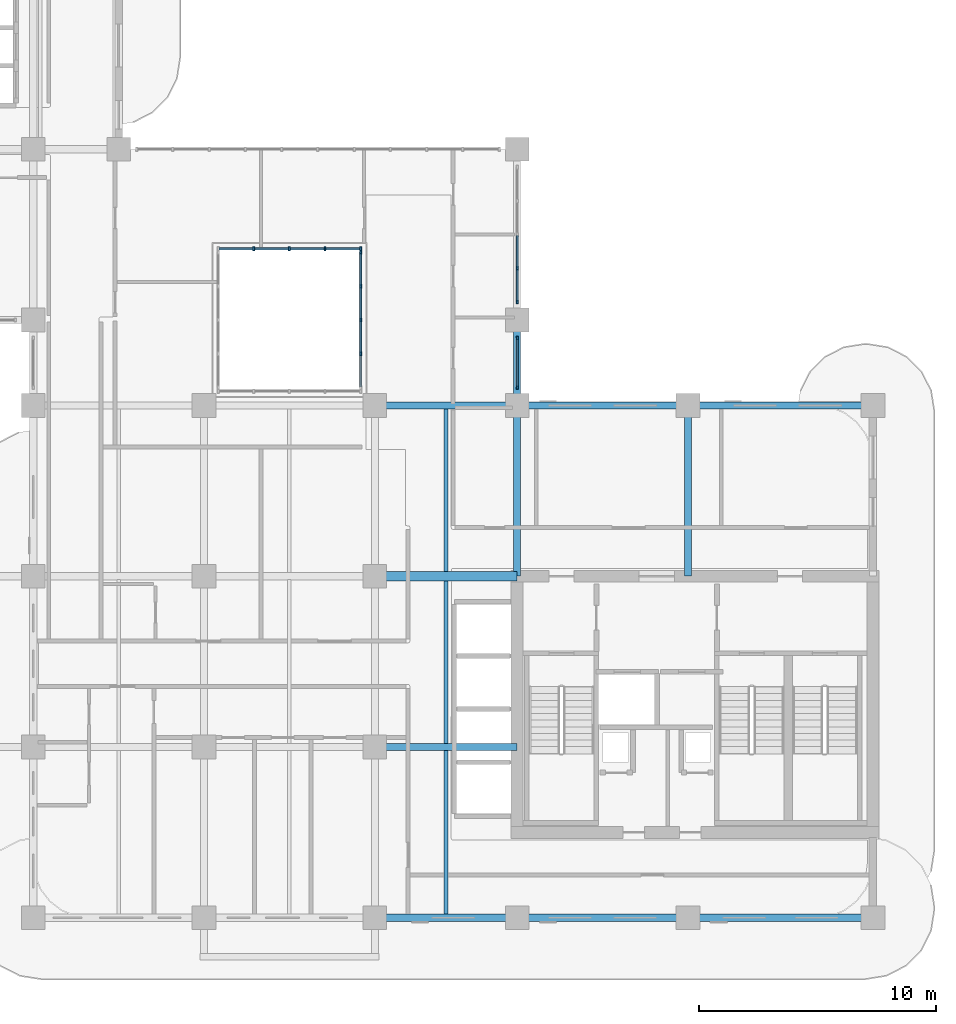
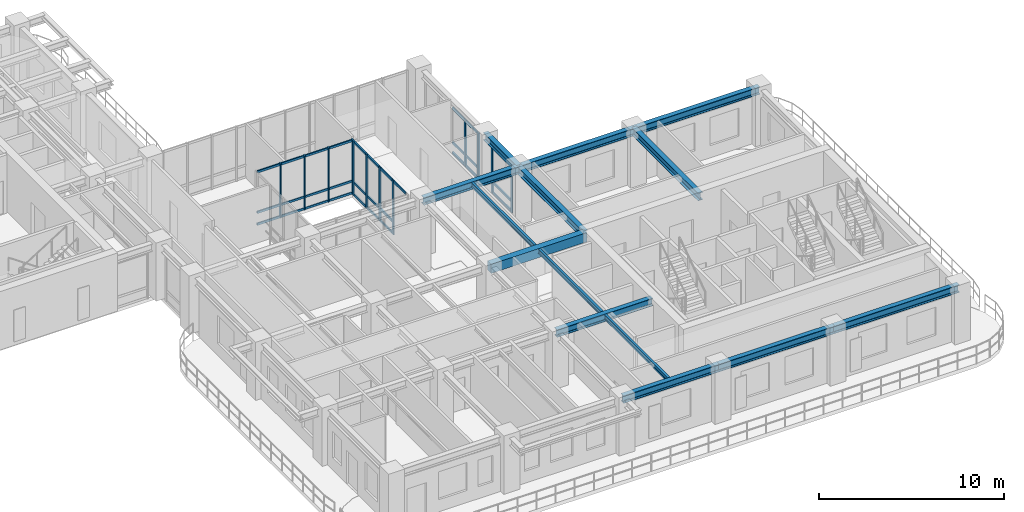
# One storey, part 3 of 20: 43 members, 14 beams, 4 elements without a shape of their own.
"""IFC4 building model written with IfcOpenShell, lengths in metres."""

from ifc_helpers import new_model, si_unit, derived_unit, direction, frame, origin, origin_2d, place, context, subcontext, project, spatial, rectangle, i_section, extrude, source, transform, mapped, material, layer, layer_set, material_profile, profile_set, type_object, type_shapes, element, aggregate, save


model = new_model("IFC4")

# Units and contexts
model_context = context("Model", 3, precision=1e-05, world=origin(), true_north=direction((0.0, 1.0)))
body_context = subcontext(model_context, "Body", "Model", "MODEL_VIEW")
ifc_project = project(units=[si_unit("LENGTHUNIT", "METRE"), si_unit("AREAUNIT", "SQUARE_METRE"), si_unit("VOLUMEUNIT", "CUBIC_METRE"), si_unit("PLANEANGLEUNIT", "RADIAN"), si_unit("MASSUNIT", "GRAM", prefix="KILO"), si_unit("THERMODYNAMICTEMPERATUREUNIT", "KELVIN"), si_unit("POWERUNIT", "WATT"), derived_unit("THERMALTRANSMITTANCEUNIT", [(si_unit("POWERUNIT", "WATT"), 1), (si_unit("AREAUNIT", "SQUARE_METRE"), -1), (si_unit("THERMODYNAMICTEMPERATUREUNIT", "KELVIN"), -1)])], contexts=[model_context])

# Site, building, storey
site_placement = place(None, origin())
site = spatial("IfcSite", under=ifc_project, at=site_placement, CompositionType="ELEMENT")
building_placement = place(site_placement, origin())
building = spatial("IfcBuilding", under=site, at=building_placement, Name="Zahravan Archway Hotel and Residences", CompositionType="ELEMENT")
storey_placement = place(building_placement, frame((0.0, 0.0, 177.25)))
storey = spatial("IfcBuildingStorey", under=building, at=storey_placement, Name="L44", CompositionType="ELEMENT", Elevation=177.25)

# Beams
ifc_material_1 = material(Name="Concrete C60/75", Category="concrete")
ifc_material_profile_1 = material_profile(ifc_material_1, rectangle(XDim=0.39990234375, YDim=0.60009765625, at=origin_2d()), Name="RC-LNT-400x600", Category="concrete")
ifc_profile_set_1 = profile_set([ifc_material_profile_1], Name="Concrete C60/75")
beam_type_1 = type_object("IfcBeamType", Name="LNT-RC-400x600", PredefinedType="LINTEL", material=ifc_profile_set_1)
shared_shape_1 = source(origin(), body_context, "Body", "SweptSolid", [
    extrude(rectangle(XDim=0.39990234375, YDim=0.60009765625, at=origin_2d()), origin(), (0.0, 0.0, 1.0), 6.0),
])
type_shapes(beam_type_1, [shared_shape_1])
beam_1_placement = place(storey_placement, frame((28.800048828125, 14.39990234375, 3.300048828125), z_axis=(1.0, 0.0, 0.0), x_axis=(0.0, 1.0, 0.0)))
element("IfcBeam", 1, at=beam_1_placement, inside=storey, type_object=beam_type_1, Name="L44 Core A Coupling Lintel Beam", PredefinedType="LINTEL", context=body_context, shape_type="MappedRepresentation", body=[
    mapped(shared_shape_1, transform((0.0, 0.0, 0.0), scale=1.0)),
])
ifc_material_2 = material(Name="Structural Steel S355JR", Category="steel")
ifc_material_profile_2 = material_profile(ifc_material_2, i_section(OverallWidth=0.300048828125, OverallDepth=0.5, WebThickness=0.014404296875, FlangeThickness=0.028076171875, FilletRadius=0.027099609375, at=origin_2d()), Name="HEB 500", Category="steel")
ifc_profile_set_2 = profile_set([ifc_material_profile_2], Name="Structural Steel S355JR")
beam_type_2 = type_object("IfcBeamType", Name="BM-PRI-HEB500", PredefinedType="BEAM", material=ifc_profile_set_2)
shared_shape_2 = source(origin(), body_context, "Body", "SweptSolid", [
    extrude(i_section(OverallWidth=0.300048828125, OverallDepth=0.5, WebThickness=0.014404296875, FlangeThickness=0.028076171875, FilletRadius=0.027099609375, at=origin_2d()), origin(), (0.0, 0.0, 1.0), 7.2001953125),
])
type_shapes(beam_type_2, [shared_shape_2])
for number, where, z_axis, x_axis, name in (
    (2, (34.800048828125, 14.39990234375, 3.35009765625), (0.0, 1.0, 0.0), (-1.0, 0.0, 0.0), "L44 Primary Girder NS-40"),
    (3, (42.0, 14.39990234375, 3.35009765625), (0.0, 1.0, 0.0), (-1.0, 0.0, 0.0), "L44 Primary Girder NS-43"),
):
    element("IfcBeam", number, at=place(storey_placement, frame(where, z_axis=z_axis, x_axis=x_axis)), inside=storey, type_object=beam_type_2, Name=name, PredefinedType="BEAM", context=body_context, shape_type="MappedRepresentation", body=[
        mapped(shared_shape_2, transform((0.0, 0.0, 0.0), scale=1.0)),
    ])
shared_shape_3 = source(origin(), body_context, "Body", "SweptSolid", [
    extrude(i_section(OverallWidth=0.300048828125, OverallDepth=0.5, WebThickness=0.014404296875, FlangeThickness=0.028076171875, FilletRadius=0.027099609375, at=origin_2d()), origin(), (0.0, 0.0, 1.0), 7.199951171875),
])
for number, where, z_axis, x_axis, name in (
    (4, (34.800048828125, 0.0, 3.35009765625), (1.0, 0.0, 0.0), (0.0, 1.0, 0.0), "L44 Primary Girder EW-04"),
    (5, (34.800048828125, 21.60009765625, 3.35009765625), (1.0, 0.0, 0.0), (0.0, 1.0, 0.0), "L44 Primary Girder EW-14"),
):
    element("IfcBeam", number, at=place(storey_placement, frame(where, z_axis=z_axis, x_axis=x_axis)), inside=storey, type_object=beam_type_2, Name=name, PredefinedType="BEAM", context=body_context, shape_type="MappedRepresentation", body=[
        mapped(shared_shape_3, transform((0.0, 0.0, 0.0), scale=1.0)),
    ])
shared_shape_4 = source(origin(), body_context, "Body", "SweptSolid", [
    extrude(i_section(OverallWidth=0.300048828125, OverallDepth=0.5, WebThickness=0.014404296875, FlangeThickness=0.028076171875, FilletRadius=0.027099609375, at=origin_2d()), origin(), (0.0, 0.0, 1.0), 6.0),
])
for number, where, z_axis, x_axis, name in (
    (6, (28.800048828125, 0.0, 3.35009765625), (1.0, 0.0, 0.0), (0.0, 1.0, 0.0), "L44 Primary Girder EW-03"),
    (7, (28.800048828125, 7.199951171875, 3.35009765625), (1.0, 0.0, 0.0), (0.0, 1.0, 0.0), "L44 Primary Girder EW-08"),
    (8, (28.800048828125, 21.60009765625, 3.35009765625), (1.0, 0.0, 0.0), (0.0, 1.0, 0.0), "L44 Primary Girder EW-13"),
):
    element("IfcBeam", number, at=place(storey_placement, frame(where, z_axis=z_axis, x_axis=x_axis)), inside=storey, type_object=beam_type_2, Name=name, PredefinedType="BEAM", context=body_context, shape_type="MappedRepresentation", body=[
        mapped(shared_shape_4, transform((0.0, 0.0, 0.0), scale=1.0)),
    ])
shared_shape_5 = source(origin(), body_context, "Body", "SweptSolid", [
    extrude(i_section(OverallWidth=0.300048828125, OverallDepth=0.5, WebThickness=0.014404296875, FlangeThickness=0.028076171875, FilletRadius=0.027099609375, at=origin_2d()), origin(), (0.0, 0.0, 1.0), 7.800048828125),
])
for number, where, z_axis, x_axis, name in (
    (9, (42.0, 0.0, 3.35009765625), (1.0, 0.0, 0.0), (0.0, 1.0, 0.0), "L44 Primary Girder EW-05"),
    (10, (42.0, 21.60009765625, 3.35009765625), (1.0, 0.0, 0.0), (0.0, 1.0, 0.0), "L44 Primary Girder EW-15"),
):
    element("IfcBeam", number, at=place(storey_placement, frame(where, z_axis=z_axis, x_axis=x_axis)), inside=storey, type_object=beam_type_2, Name=name, PredefinedType="BEAM", context=body_context, shape_type="MappedRepresentation", body=[
        mapped(shared_shape_5, transform((0.0, 0.0, 0.0), scale=1.0)),
    ])
shared_shape_6 = source(origin(), body_context, "Body", "SweptSolid", [
    extrude(i_section(OverallWidth=0.300048828125, OverallDepth=0.5, WebThickness=0.014404296875, FlangeThickness=0.028076171875, FilletRadius=0.027099609375, at=origin_2d()), origin(), (0.0, 0.0, 1.0), 3.599853515625),
])
beam_2_placement = place(storey_placement, frame((34.800048828125, 21.60009765625, 3.35009765625), z_axis=(0.0, 1.0, 0.0), x_axis=(-1.0, 0.0, 0.0)))
element("IfcBeam", 11, at=beam_2_placement, inside=storey, type_object=beam_type_2, Name="L44 Primary Girder NS-41", PredefinedType="BEAM", context=body_context, shape_type="MappedRepresentation", body=[
    mapped(shared_shape_6, transform((0.0, 0.0, 0.0), scale=1.0)),
])
ifc_material_profile_3 = material_profile(ifc_material_2, i_section(OverallWidth=0.14990234375, OverallDepth=0.300048828125, WebThickness=0.007080078125, FlangeThickness=0.0107421875, FilletRadius=0.014892578125, at=origin_2d()), Name="IPE 300", Category="steel")
ifc_profile_set_3 = profile_set([ifc_material_profile_3], Name="Structural Steel S355JR")
beam_type_3 = type_object("IfcBeamType", Name="BM-JST-IPE300", PredefinedType="JOIST", material=ifc_profile_set_3)
shared_shape_7 = source(origin(), body_context, "Body", "SweptSolid", [
    extrude(i_section(OverallWidth=0.14990234375, OverallDepth=0.300048828125, WebThickness=0.007080078125, FlangeThickness=0.0107421875, FilletRadius=0.014892578125, at=origin_2d()), origin(), (0.0, 0.0, 1.0), 6.904052734375),
])
type_shapes(beam_type_3, [shared_shape_7])
beam_3_placement = place(storey_placement, frame((31.800048828125, 0.14794921875, 3.449951171875), z_axis=(0.0, 1.0, 0.0), x_axis=(-1.0, 0.0, 0.0)))
element("IfcBeam", 12, at=beam_3_placement, inside=storey, type_object=beam_type_3, Name="L44 Composite Floor Joist 03", PredefinedType="JOIST", context=body_context, shape_type="MappedRepresentation", body=[
    mapped(shared_shape_7, transform((0.0, 0.0, 0.0), scale=1.0)),
])
shared_shape_8 = source(origin(), body_context, "Body", "SweptSolid", [
    extrude(i_section(OverallWidth=0.14990234375, OverallDepth=0.300048828125, WebThickness=0.007080078125, FlangeThickness=0.0107421875, FilletRadius=0.014892578125, at=origin_2d()), origin(), (0.0, 0.0, 1.0), 6.85400390625),
])
for number, where, z_axis, x_axis, name in (
    (13, (31.800048828125, 7.347900390625, 3.449951171875), (0.0, 1.0, 0.0), (-1.0, 0.0, 0.0), "L44 Composite Floor Joist 06"),
    (14, (31.800048828125, 14.597900390625, 3.449951171875), (0.0, 1.0, 0.0), (-1.0, 0.0, 0.0), "L44 Composite Floor Joist 07"),
):
    element("IfcBeam", number, at=place(storey_placement, frame(where, z_axis=z_axis, x_axis=x_axis)), inside=storey, type_object=beam_type_3, Name=name, PredefinedType="JOIST", context=body_context, shape_type="MappedRepresentation", body=[
        mapped(shared_shape_8, transform((0.0, 0.0, 0.0), scale=1.0)),
    ])

# Curtain wall, members
ifc_material_3 = material(Name="Bronze-Anodized Unitised Aluminium & Low-E Glass", Category="aluminium")
ifc_layer = layer(ifc_material_3, 0.179931640625, Name="Bronze-Anodized Unitised Aluminium & Low-E Glass", Category="aluminium")
ifc_layer_set = layer_set([ifc_layer], Name="Bronze-Anodized Unitised Aluminium & Low-E Glass")
curtain_wall_type = type_object("IfcCurtainWallType", Name="CW-ATR-GLAZ", PredefinedType="NOTDEFINED", material=ifc_layer_set)
curtain_wall_1_placement = place(storey_placement, origin())
curtain_wall_1 = element("IfcCurtainWall", 15, at=curtain_wall_1_placement, inside=storey, type_object=curtain_wall_type, Name="L44 Curtain Wall CW-L44-HNG-E-2", PredefinedType="NOTDEFINED")
ifc_material_4 = material(Name="Bronze-Anodized Extruded Aluminium", Category="aluminium")
ifc_material_profile_4 = material_profile(ifc_material_4, rectangle(XDim=0.080078125, YDim=0.139892578125, at=origin_2d()), Name="TRN 80x140", Category="aluminium")
ifc_profile_set_4 = profile_set([ifc_material_profile_4], Name="Bronze-Anodized Extruded Aluminium")
member_type_1 = type_object("IfcMemberType", Name="CWM-TRN-140", PredefinedType="USERDEFINED", material=ifc_profile_set_4)
shared_shape_9 = source(origin(), body_context, "Body", "SweptSolid", [
    extrude(rectangle(XDim=0.080078125, YDim=0.139892578125, at=origin_2d()), origin(), (0.0, 0.0, 1.0), 1.340087890625),
])
member_1_placement = place(storey_placement, frame((34.800048828125, 26.0, 0.070068359375), z_axis=(0.0, 1.0, 0.0), x_axis=(-1.0, 0.0, 0.0)))
member_1 = element("IfcMember", 16, at=member_1_placement, type_object=member_type_1, Name="CW-L44-HNG-E-2 Transom 0-1", ObjectType="TRANSOM", PredefinedType="USERDEFINED", context=body_context, shape_type="MappedRepresentation", body=[
    mapped(shared_shape_9, transform((0.0, 0.0, 0.0), scale=1.0)),
])
member_2_placement = place(storey_placement, frame((34.800048828125, 26.0, 0.740478515625), z_axis=(0.0, 1.0, 0.0), x_axis=(-1.0, 0.0, 0.0)))
member_2 = element("IfcMember", 17, at=member_2_placement, type_object=member_type_1, Name="CW-L44-HNG-E-2 Transom 0-2", ObjectType="TRANSOM", PredefinedType="USERDEFINED", context=body_context, shape_type="MappedRepresentation", body=[
    mapped(shared_shape_9, transform((0.0, 0.0, 0.0), scale=1.0)),
])
member_3_placement = place(storey_placement, frame((34.800048828125, 26.0, 3.014892578125), z_axis=(0.0, 1.0, 0.0), x_axis=(-1.0, 0.0, 0.0)))
member_3 = element("IfcMember", 18, at=member_3_placement, type_object=member_type_1, Name="CW-L44-HNG-E-2 Transom 0-3", ObjectType="TRANSOM", PredefinedType="USERDEFINED", context=body_context, shape_type="MappedRepresentation", body=[
    mapped(shared_shape_9, transform((0.0, 0.0, 0.0), scale=1.0)),
])
member_4_placement = place(storey_placement, frame((34.800048828125, 27.419921875, 0.070068359375), z_axis=(0.0, 1.0, 0.0), x_axis=(-1.0, 0.0, 0.0)))
member_4 = element("IfcMember", 19, at=member_4_placement, type_object=member_type_1, Name="CW-L44-HNG-E-2 Transom 1-1", ObjectType="TRANSOM", PredefinedType="USERDEFINED", context=body_context, shape_type="MappedRepresentation", body=[
    mapped(shared_shape_9, transform((0.0, 0.0, 0.0), scale=1.0)),
])
member_5_placement = place(storey_placement, frame((34.800048828125, 27.419921875, 0.740478515625), z_axis=(0.0, 1.0, 0.0), x_axis=(-1.0, 0.0, 0.0)))
member_5 = element("IfcMember", 20, at=member_5_placement, type_object=member_type_1, Name="CW-L44-HNG-E-2 Transom 1-2", ObjectType="TRANSOM", PredefinedType="USERDEFINED", context=body_context, shape_type="MappedRepresentation", body=[
    mapped(shared_shape_9, transform((0.0, 0.0, 0.0), scale=1.0)),
])
member_6_placement = place(storey_placement, frame((34.800048828125, 27.419921875, 3.014892578125), z_axis=(0.0, 1.0, 0.0), x_axis=(-1.0, 0.0, 0.0)))
member_6 = element("IfcMember", 21, at=member_6_placement, type_object=member_type_1, Name="CW-L44-HNG-E-2 Transom 1-3", ObjectType="TRANSOM", PredefinedType="USERDEFINED", context=body_context, shape_type="MappedRepresentation", body=[
    mapped(shared_shape_9, transform((0.0, 0.0, 0.0), scale=1.0)),
])

curtain_wall_2_placement = place(storey_placement, origin())
curtain_wall_2 = element("IfcCurtainWall", 22, at=curtain_wall_2_placement, inside=storey, type_object=curtain_wall_type, Name="L44 Curtain Wall CW-L44-HNG-E-1", PredefinedType="NOTDEFINED")
shared_shape_10 = source(origin(), body_context, "Body", "SweptSolid", [
    extrude(rectangle(XDim=0.080078125, YDim=0.139892578125, at=origin_2d()), origin(), (0.0, 0.0, 1.0), 2.0),
])
member_7_placement = place(storey_placement, frame((34.800048828125, 22.39990234375, 0.070068359375), z_axis=(0.0, 1.0, 0.0), x_axis=(-1.0, 0.0, 0.0)))
member_7 = element("IfcMember", 23, at=member_7_placement, type_object=member_type_1, Name="CW-L44-HNG-E-1 Transom 0-1", ObjectType="TRANSOM", PredefinedType="USERDEFINED", context=body_context, shape_type="MappedRepresentation", body=[
    mapped(shared_shape_10, transform((0.0, 0.0, 0.0), scale=1.0)),
])
member_8_placement = place(storey_placement, frame((34.800048828125, 22.39990234375, 0.740478515625), z_axis=(0.0, 1.0, 0.0), x_axis=(-1.0, 0.0, 0.0)))
member_8 = element("IfcMember", 24, at=member_8_placement, type_object=member_type_1, Name="CW-L44-HNG-E-1 Transom 0-2", ObjectType="TRANSOM", PredefinedType="USERDEFINED", context=body_context, shape_type="MappedRepresentation", body=[
    mapped(shared_shape_10, transform((0.0, 0.0, 0.0), scale=1.0)),
])
member_9_placement = place(storey_placement, frame((34.800048828125, 22.39990234375, 3.014892578125), z_axis=(0.0, 1.0, 0.0), x_axis=(-1.0, 0.0, 0.0)))
member_9 = element("IfcMember", 25, at=member_9_placement, type_object=member_type_1, Name="CW-L44-HNG-E-1 Transom 0-3", ObjectType="TRANSOM", PredefinedType="USERDEFINED", context=body_context, shape_type="MappedRepresentation", body=[
    mapped(shared_shape_10, transform((0.0, 0.0, 0.0), scale=1.0)),
])

curtain_wall_3_placement = place(storey_placement, origin())
curtain_wall_3 = element("IfcCurtainWall", 26, at=curtain_wall_3_placement, inside=storey, type_object=curtain_wall_type, Name="L44 Curtain Wall CW-ATR-L44-N-1", PredefinedType="NOTDEFINED")
shared_shape_11 = source(origin(), body_context, "Body", "SweptSolid", [
    extrude(rectangle(XDim=0.080078125, YDim=0.139892578125, at=origin_2d()), origin(), (0.0, 0.0, 1.0), 1.419921875),
])
member_10_placement = place(storey_placement, frame((22.239990234375, 28.199951171875, 0.070068359375), z_axis=(1.0, 0.0, 0.0), x_axis=(0.0, 1.0, 0.0)))
member_10 = element("IfcMember", 27, at=member_10_placement, type_object=member_type_1, Name="CW-ATR-L44-N-1 Transom 0-1", ObjectType="TRANSOM", PredefinedType="USERDEFINED", context=body_context, shape_type="MappedRepresentation", body=[
    mapped(shared_shape_11, transform((0.0, 0.0, 0.0), scale=1.0)),
])
member_11_placement = place(storey_placement, frame((22.239990234375, 28.199951171875, 0.85009765625), z_axis=(1.0, 0.0, 0.0), x_axis=(0.0, 1.0, 0.0)))
member_11 = element("IfcMember", 28, at=member_11_placement, type_object=member_type_1, Name="CW-ATR-L44-N-1 Transom 0-2", ObjectType="TRANSOM", PredefinedType="USERDEFINED", context=body_context, shape_type="MappedRepresentation", body=[
    mapped(shared_shape_11, transform((0.0, 0.0, 0.0), scale=1.0)),
])
member_12_placement = place(storey_placement, frame((22.239990234375, 28.199951171875, 3.530029296875), z_axis=(1.0, 0.0, 0.0), x_axis=(0.0, 1.0, 0.0)))
member_12 = element("IfcMember", 29, at=member_12_placement, type_object=member_type_1, Name="CW-ATR-L44-N-1 Transom 0-3", ObjectType="TRANSOM", PredefinedType="USERDEFINED", context=body_context, shape_type="MappedRepresentation", body=[
    mapped(shared_shape_11, transform((0.0, 0.0, 0.0), scale=1.0)),
])
member_13_placement = place(storey_placement, frame((23.739990234375, 28.199951171875, 0.070068359375), z_axis=(1.0, 0.0, 0.0), x_axis=(0.0, 1.0, 0.0)))
member_13 = element("IfcMember", 30, at=member_13_placement, type_object=member_type_1, Name="CW-ATR-L44-N-1 Transom 1-1", ObjectType="TRANSOM", PredefinedType="USERDEFINED", context=body_context, shape_type="MappedRepresentation", body=[
    mapped(shared_shape_11, transform((0.0, 0.0, 0.0), scale=1.0)),
])
member_14_placement = place(storey_placement, frame((23.739990234375, 28.199951171875, 0.85009765625), z_axis=(1.0, 0.0, 0.0), x_axis=(0.0, 1.0, 0.0)))
member_14 = element("IfcMember", 31, at=member_14_placement, type_object=member_type_1, Name="CW-ATR-L44-N-1 Transom 1-2", ObjectType="TRANSOM", PredefinedType="USERDEFINED", context=body_context, shape_type="MappedRepresentation", body=[
    mapped(shared_shape_11, transform((0.0, 0.0, 0.0), scale=1.0)),
])
member_15_placement = place(storey_placement, frame((23.739990234375, 28.199951171875, 3.530029296875), z_axis=(1.0, 0.0, 0.0), x_axis=(0.0, 1.0, 0.0)))
member_15 = element("IfcMember", 32, at=member_15_placement, type_object=member_type_1, Name="CW-ATR-L44-N-1 Transom 1-3", ObjectType="TRANSOM", PredefinedType="USERDEFINED", context=body_context, shape_type="MappedRepresentation", body=[
    mapped(shared_shape_11, transform((0.0, 0.0, 0.0), scale=1.0)),
])
member_16_placement = place(storey_placement, frame((25.239990234375, 28.199951171875, 0.070068359375), z_axis=(1.0, 0.0, 0.0), x_axis=(0.0, 1.0, 0.0)))
member_16 = element("IfcMember", 33, at=member_16_placement, type_object=member_type_1, Name="CW-ATR-L44-N-1 Transom 2-1", ObjectType="TRANSOM", PredefinedType="USERDEFINED", context=body_context, shape_type="MappedRepresentation", body=[
    mapped(shared_shape_11, transform((0.0, 0.0, 0.0), scale=1.0)),
])
member_17_placement = place(storey_placement, frame((25.239990234375, 28.199951171875, 0.85009765625), z_axis=(1.0, 0.0, 0.0), x_axis=(0.0, 1.0, 0.0)))
member_17 = element("IfcMember", 34, at=member_17_placement, type_object=member_type_1, Name="CW-ATR-L44-N-1 Transom 2-2", ObjectType="TRANSOM", PredefinedType="USERDEFINED", context=body_context, shape_type="MappedRepresentation", body=[
    mapped(shared_shape_11, transform((0.0, 0.0, 0.0), scale=1.0)),
])
member_18_placement = place(storey_placement, frame((25.239990234375, 28.199951171875, 3.530029296875), z_axis=(1.0, 0.0, 0.0), x_axis=(0.0, 1.0, 0.0)))
member_18 = element("IfcMember", 35, at=member_18_placement, type_object=member_type_1, Name="CW-ATR-L44-N-1 Transom 2-3", ObjectType="TRANSOM", PredefinedType="USERDEFINED", context=body_context, shape_type="MappedRepresentation", body=[
    mapped(shared_shape_11, transform((0.0, 0.0, 0.0), scale=1.0)),
])
member_19_placement = place(storey_placement, frame((26.739990234375, 28.199951171875, 0.070068359375), z_axis=(1.0, 0.0, 0.0), x_axis=(0.0, 1.0, 0.0)))
member_19 = element("IfcMember", 36, at=member_19_placement, type_object=member_type_1, Name="CW-ATR-L44-N-1 Transom 3-1", ObjectType="TRANSOM", PredefinedType="USERDEFINED", context=body_context, shape_type="MappedRepresentation", body=[
    mapped(shared_shape_11, transform((0.0, 0.0, 0.0), scale=1.0)),
])
member_20_placement = place(storey_placement, frame((26.739990234375, 28.199951171875, 0.85009765625), z_axis=(1.0, 0.0, 0.0), x_axis=(0.0, 1.0, 0.0)))
member_20 = element("IfcMember", 37, at=member_20_placement, type_object=member_type_1, Name="CW-ATR-L44-N-1 Transom 3-2", ObjectType="TRANSOM", PredefinedType="USERDEFINED", context=body_context, shape_type="MappedRepresentation", body=[
    mapped(shared_shape_11, transform((0.0, 0.0, 0.0), scale=1.0)),
])
member_21_placement = place(storey_placement, frame((26.739990234375, 28.199951171875, 3.530029296875), z_axis=(1.0, 0.0, 0.0), x_axis=(0.0, 1.0, 0.0)))
member_21 = element("IfcMember", 38, at=member_21_placement, type_object=member_type_1, Name="CW-ATR-L44-N-1 Transom 3-3", ObjectType="TRANSOM", PredefinedType="USERDEFINED", context=body_context, shape_type="MappedRepresentation", body=[
    mapped(shared_shape_11, transform((0.0, 0.0, 0.0), scale=1.0)),
])

curtain_wall_4_placement = place(storey_placement, origin())
curtain_wall_4 = element("IfcCurtainWall", 39, at=curtain_wall_4_placement, inside=storey, type_object=curtain_wall_type, Name="L44 Curtain Wall CW-ATR-L44-E-1", PredefinedType="NOTDEFINED")
shared_shape_12 = source(origin(), body_context, "Body", "SweptSolid", [
    extrude(rectangle(XDim=0.080078125, YDim=0.139892578125, at=origin_2d()), origin(), (0.0, 0.0, 1.0), 1.34521484375),
])
member_22_placement = place(storey_placement, frame((28.199951171875, 22.389892578125, 3.530029296875), z_axis=(0.0, 1.0, 0.0), x_axis=(-1.0, 0.0, 0.0)))
member_22 = element("IfcMember", 40, at=member_22_placement, type_object=member_type_1, Name="CW-ATR-L44-E-1 Transom 0-3", ObjectType="TRANSOM", PredefinedType="USERDEFINED", context=body_context, shape_type="MappedRepresentation", body=[
    mapped(shared_shape_12, transform((0.0, 0.0, 0.0), scale=1.0)),
])
shared_shape_13 = source(origin(), body_context, "Body", "SweptSolid", [
    extrude(rectangle(XDim=0.080078125, YDim=0.139892578125, at=origin_2d()), origin(), (0.0, 0.0, 1.0), 1.344970703125),
])
member_23_placement = place(storey_placement, frame((28.199951171875, 23.81494140625, 0.070068359375), z_axis=(0.0, 1.0, 0.0), x_axis=(-1.0, 0.0, 0.0)))
member_23 = element("IfcMember", 41, at=member_23_placement, type_object=member_type_1, Name="CW-ATR-L44-E-1 Transom 1-1", ObjectType="TRANSOM", PredefinedType="USERDEFINED", context=body_context, shape_type="MappedRepresentation", body=[
    mapped(shared_shape_13, transform((0.0, 0.0, 0.0), scale=1.0)),
])
member_24_placement = place(storey_placement, frame((28.199951171875, 23.81494140625, 0.85009765625), z_axis=(0.0, 1.0, 0.0), x_axis=(-1.0, 0.0, 0.0)))
member_24 = element("IfcMember", 42, at=member_24_placement, type_object=member_type_1, Name="CW-ATR-L44-E-1 Transom 1-2", ObjectType="TRANSOM", PredefinedType="USERDEFINED", context=body_context, shape_type="MappedRepresentation", body=[
    mapped(shared_shape_13, transform((0.0, 0.0, 0.0), scale=1.0)),
])
member_25_placement = place(storey_placement, frame((28.199951171875, 23.81494140625, 3.530029296875), z_axis=(0.0, 1.0, 0.0), x_axis=(-1.0, 0.0, 0.0)))
member_25 = element("IfcMember", 43, at=member_25_placement, type_object=member_type_1, Name="CW-ATR-L44-E-1 Transom 1-3", ObjectType="TRANSOM", PredefinedType="USERDEFINED", context=body_context, shape_type="MappedRepresentation", body=[
    mapped(shared_shape_13, transform((0.0, 0.0, 0.0), scale=1.0)),
])
member_26_placement = place(storey_placement, frame((28.199951171875, 25.239990234375, 0.070068359375), z_axis=(0.0, 1.0, 0.0), x_axis=(-1.0, 0.0, 0.0)))
member_26 = element("IfcMember", 44, at=member_26_placement, type_object=member_type_1, Name="CW-ATR-L44-E-1 Transom 2-1", ObjectType="TRANSOM", PredefinedType="USERDEFINED", context=body_context, shape_type="MappedRepresentation", body=[
    mapped(shared_shape_13, transform((0.0, 0.0, 0.0), scale=1.0)),
])
member_27_placement = place(storey_placement, frame((28.199951171875, 25.239990234375, 0.85009765625), z_axis=(0.0, 1.0, 0.0), x_axis=(-1.0, 0.0, 0.0)))
member_27 = element("IfcMember", 45, at=member_27_placement, type_object=member_type_1, Name="CW-ATR-L44-E-1 Transom 2-2", ObjectType="TRANSOM", PredefinedType="USERDEFINED", context=body_context, shape_type="MappedRepresentation", body=[
    mapped(shared_shape_13, transform((0.0, 0.0, 0.0), scale=1.0)),
])
member_28_placement = place(storey_placement, frame((28.199951171875, 25.239990234375, 3.530029296875), z_axis=(0.0, 1.0, 0.0), x_axis=(-1.0, 0.0, 0.0)))
member_28 = element("IfcMember", 46, at=member_28_placement, type_object=member_type_1, Name="CW-ATR-L44-E-1 Transom 2-3", ObjectType="TRANSOM", PredefinedType="USERDEFINED", context=body_context, shape_type="MappedRepresentation", body=[
    mapped(shared_shape_13, transform((0.0, 0.0, 0.0), scale=1.0)),
])
member_29_placement = place(storey_placement, frame((28.199951171875, 26.6650390625, 0.070068359375), z_axis=(0.0, 1.0, 0.0), x_axis=(-1.0, 0.0, 0.0)))
member_29 = element("IfcMember", 47, at=member_29_placement, type_object=member_type_1, Name="CW-ATR-L44-E-1 Transom 3-1", ObjectType="TRANSOM", PredefinedType="USERDEFINED", context=body_context, shape_type="MappedRepresentation", body=[
    mapped(shared_shape_13, transform((0.0, 0.0, 0.0), scale=1.0)),
])
member_30_placement = place(storey_placement, frame((28.199951171875, 26.6650390625, 0.85009765625), z_axis=(0.0, 1.0, 0.0), x_axis=(-1.0, 0.0, 0.0)))
member_30 = element("IfcMember", 48, at=member_30_placement, type_object=member_type_1, Name="CW-ATR-L44-E-1 Transom 3-2", ObjectType="TRANSOM", PredefinedType="USERDEFINED", context=body_context, shape_type="MappedRepresentation", body=[
    mapped(shared_shape_13, transform((0.0, 0.0, 0.0), scale=1.0)),
])
member_31_placement = place(storey_placement, frame((28.199951171875, 26.6650390625, 3.530029296875), z_axis=(0.0, 1.0, 0.0), x_axis=(-1.0, 0.0, 0.0)))
member_31 = element("IfcMember", 49, at=member_31_placement, type_object=member_type_1, Name="CW-ATR-L44-E-1 Transom 3-3", ObjectType="TRANSOM", PredefinedType="USERDEFINED", context=body_context, shape_type="MappedRepresentation", body=[
    mapped(shared_shape_13, transform((0.0, 0.0, 0.0), scale=1.0)),
])

# Member
ifc_material_profile_5 = material_profile(ifc_material_4, rectangle(XDim=0.080078125, YDim=0.159912109375, at=origin_2d()), Name="MUL 80x160", Category="aluminium")
ifc_profile_set_5 = profile_set([ifc_material_profile_5], Name="Bronze-Anodized Extruded Aluminium")
member_type_2 = type_object("IfcMemberType", Name="CWM-MUL-160", PredefinedType="MULLION", material=ifc_profile_set_5)
shared_shape_14 = source(origin(), body_context, "Body", "SweptSolid", [
    extrude(rectangle(XDim=0.080078125, YDim=0.159912109375, at=origin_2d()), origin(), (0.0, 0.0, 1.0), 3.0849609375),
])
member_32_placement = place(storey_placement, frame((34.800048828125, 22.360107421875, 0.0), z_axis=(0.0, 0.0, 1.0), x_axis=(1.0, 0.0, 0.0)))
member_32 = element("IfcMember", 50, at=member_32_placement, type_object=member_type_2, Name="CW-L44-HNG-E-1 Mullion 0", PredefinedType="MULLION", context=body_context, shape_type="MappedRepresentation", body=[
    mapped(shared_shape_14, transform((0.0, 0.0, 0.0), scale=1.0)),
])

member_33_placement = place(storey_placement, frame((34.800048828125, 24.43994140625, 0.0), z_axis=(0.0, 0.0, 1.0), x_axis=(1.0, 0.0, 0.0)))
member_33 = element("IfcMember", 51, at=member_33_placement, type_object=member_type_2, Name="CW-L44-HNG-E-1 Mullion 1", PredefinedType="MULLION", context=body_context, shape_type="MappedRepresentation", body=[
    mapped(shared_shape_14, transform((0.0, 0.0, 0.0), scale=1.0)),
])

aggregate(curtain_wall_2, [member_32, member_33, member_7, member_8, member_9])

member_34_placement = place(storey_placement, frame((34.800048828125, 25.9599609375, 0.0), z_axis=(0.0, 0.0, 1.0), x_axis=(1.0, 0.0, 0.0)))
member_34 = element("IfcMember", 52, at=member_34_placement, type_object=member_type_2, Name="CW-L44-HNG-E-2 Mullion 0", PredefinedType="MULLION", context=body_context, shape_type="MappedRepresentation", body=[
    mapped(shared_shape_14, transform((0.0, 0.0, 0.0), scale=1.0)),
])

member_35_placement = place(storey_placement, frame((34.800048828125, 27.3798828125, 0.0), z_axis=(0.0, 0.0, 1.0), x_axis=(1.0, 0.0, 0.0)))
member_35 = element("IfcMember", 53, at=member_35_placement, type_object=member_type_2, Name="CW-L44-HNG-E-2 Mullion 1", PredefinedType="MULLION", context=body_context, shape_type="MappedRepresentation", body=[
    mapped(shared_shape_14, transform((0.0, 0.0, 0.0), scale=1.0)),
])

aggregate(curtain_wall_1, [member_34, member_35, member_1, member_2, member_3, member_4, member_5, member_6])

shared_shape_15 = source(origin(), body_context, "Body", "SweptSolid", [
    extrude(rectangle(XDim=0.080078125, YDim=0.159912109375, at=origin_2d()), origin(), (0.0, 0.0, 1.0), 3.60009765625),
])
member_36_placement = place(storey_placement, frame((23.699951171875, 28.199951171875, 0.0), z_axis=(0.0, 0.0, 1.0), x_axis=(1.0, 0.0, 0.0)))
member_36 = element("IfcMember", 54, at=member_36_placement, type_object=member_type_2, Name="CW-ATR-L44-N-1 Mullion 1", PredefinedType="MULLION", context=body_context, shape_type="MappedRepresentation", body=[
    mapped(shared_shape_15, transform((0.0, 0.0, 0.0), scale=1.0)),
])

member_37_placement = place(storey_placement, frame((25.199951171875, 28.199951171875, 0.0), z_axis=(0.0, 0.0, 1.0), x_axis=(1.0, 0.0, 0.0)))
member_37 = element("IfcMember", 55, at=member_37_placement, type_object=member_type_2, Name="CW-ATR-L44-N-1 Mullion 2", PredefinedType="MULLION", context=body_context, shape_type="MappedRepresentation", body=[
    mapped(shared_shape_15, transform((0.0, 0.0, 0.0), scale=1.0)),
])

member_38_placement = place(storey_placement, frame((26.699951171875, 28.199951171875, 0.0), z_axis=(0.0, 0.0, 1.0), x_axis=(1.0, 0.0, 0.0)))
member_38 = element("IfcMember", 56, at=member_38_placement, type_object=member_type_2, Name="CW-ATR-L44-N-1 Mullion 3", PredefinedType="MULLION", context=body_context, shape_type="MappedRepresentation", body=[
    mapped(shared_shape_15, transform((0.0, 0.0, 0.0), scale=1.0)),
])

member_39_placement = place(storey_placement, frame((28.199951171875, 28.199951171875, 0.0), z_axis=(0.0, 0.0, 1.0), x_axis=(1.0, 0.0, 0.0)))
member_39 = element("IfcMember", 57, at=member_39_placement, type_object=member_type_2, Name="CW-ATR-L44-N-1 Mullion 4", PredefinedType="MULLION", context=body_context, shape_type="MappedRepresentation", body=[
    mapped(shared_shape_15, transform((0.0, 0.0, 0.0), scale=1.0)),
])

aggregate(curtain_wall_3, [member_36, member_37, member_38, member_39, member_10, member_11, member_12, member_13, member_14, member_15, member_16, member_17, member_18, member_19, member_20, member_21])

member_40_placement = place(storey_placement, frame((28.199951171875, 23.77490234375, 0.0), z_axis=(0.0, 0.0, 1.0), x_axis=(1.0, 0.0, 0.0)))
member_40 = element("IfcMember", 58, at=member_40_placement, type_object=member_type_2, Name="CW-ATR-L44-E-1 Mullion 1", PredefinedType="MULLION", context=body_context, shape_type="MappedRepresentation", body=[
    mapped(shared_shape_15, transform((0.0, 0.0, 0.0), scale=1.0)),
])

member_41_placement = place(storey_placement, frame((28.199951171875, 25.199951171875, 0.0), z_axis=(0.0, 0.0, 1.0), x_axis=(1.0, 0.0, 0.0)))
member_41 = element("IfcMember", 59, at=member_41_placement, type_object=member_type_2, Name="CW-ATR-L44-E-1 Mullion 2", PredefinedType="MULLION", context=body_context, shape_type="MappedRepresentation", body=[
    mapped(shared_shape_15, transform((0.0, 0.0, 0.0), scale=1.0)),
])

member_42_placement = place(storey_placement, frame((28.199951171875, 26.625, 0.0), z_axis=(0.0, 0.0, 1.0), x_axis=(1.0, 0.0, 0.0)))
member_42 = element("IfcMember", 60, at=member_42_placement, type_object=member_type_2, Name="CW-ATR-L44-E-1 Mullion 3", PredefinedType="MULLION", context=body_context, shape_type="MappedRepresentation", body=[
    mapped(shared_shape_15, transform((0.0, 0.0, 0.0), scale=1.0)),
])

member_43_placement = place(storey_placement, frame((28.199951171875, 28.050048828125, 0.0), z_axis=(0.0, 0.0, 1.0), x_axis=(1.0, 0.0, 0.0)))
member_43 = element("IfcMember", 61, at=member_43_placement, type_object=member_type_2, Name="CW-ATR-L44-E-1 Mullion 4", PredefinedType="MULLION", context=body_context, shape_type="MappedRepresentation", body=[
    mapped(shared_shape_15, transform((0.0, 0.0, 0.0), scale=1.0)),
])

aggregate(curtain_wall_4, [member_40, member_41, member_42, member_43, member_22, member_23, member_24, member_25, member_26, member_27, member_28, member_29, member_30, member_31])

save(model, "model.ifc")
